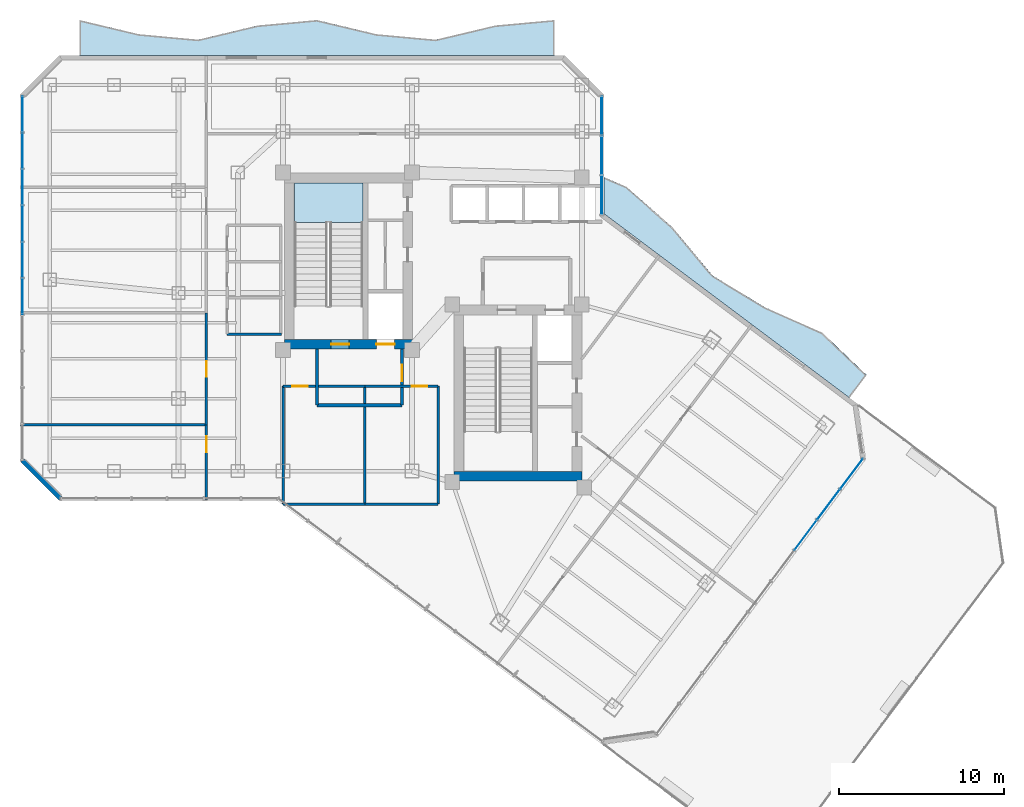
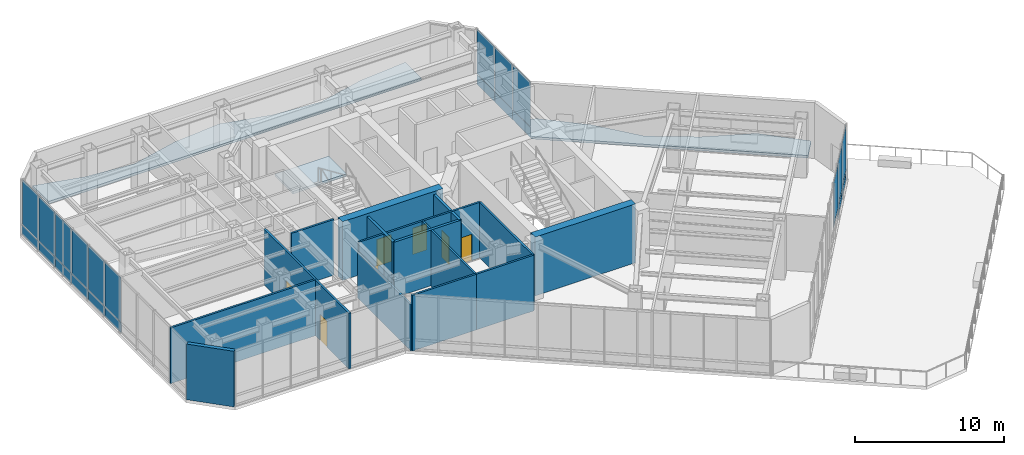
# One storey, part 22 of 30: 23 plates, 17 walls, 7 doors, 3 slabs, 7 openings, 4 elements without a shape of their own.
"""IFC4 building model written with IfcOpenShell, lengths in metres."""

from ifc_helpers import new_model, si_unit, direction, frame, frame_2d, origin, origin_2d, place, context, subcontext, project, spatial, polyline, rectangle, outline, extrude, material, layer, layer_set, type_object, element, fill, aggregate, save


model = new_model("IFC4")

# Units and contexts
model_context = context("Model", 3, precision=1e-05, world=origin(), true_north=direction((0.0, 1.0)))
body_context = subcontext(model_context, "Body", "Model", "MODEL_VIEW")
ifc_project = project(units=[si_unit("LENGTHUNIT", "METRE"), si_unit("AREAUNIT", "SQUARE_METRE"), si_unit("VOLUMEUNIT", "CUBIC_METRE"), si_unit("PLANEANGLEUNIT", "RADIAN"), si_unit("MASSUNIT", "GRAM", prefix="KILO")], contexts=[model_context])

# Site, building, storey
site_placement = place(None, origin())
site = spatial("IfcSite", under=ifc_project, at=site_placement, CompositionType="ELEMENT")
building_placement = place(site_placement, origin())
building = spatial("IfcBuilding", under=site, at=building_placement, Name="Hatsunagi Terrace Concourse", CompositionType="ELEMENT")
storey_placement = place(building_placement, frame((0.0, 0.0, 130.050048828125)))
storey = spatial("IfcBuildingStorey", under=building, at=storey_placement, Name="L34", CompositionType="ELEMENT", Elevation=130.050048828125)

# Curtain wall, plates
ifc_material_1 = material(Name="Anodised Aluminium Alloy 6063-T5", Category="aluminium")
ifc_layer_1 = layer(ifc_material_1, 0.199951171875)
ifc_layer_set_1 = layer_set([ifc_layer_1], Name="SkyLobbyAtrium_CW05")
curtain_wall_type = type_object("IfcCurtainWallType", Name="SkyLobbyAtrium_CW05", PredefinedType="NOTDEFINED", material=ifc_layer_set_1)
curtain_wall_1_placement = place(storey_placement, origin())
curtain_wall_1 = element("IfcCurtainWall", 1, at=curtain_wall_1_placement, inside=storey, type_object=curtain_wall_type, Name="Unitised Curtain Wall CW-05 CW-L34-03", PredefinedType="NOTDEFINED")
ifc_material_2 = material(Name="Warm Terracotta Ceramic Spandrel Panel", Category="masonry")
ifc_layer_2 = layer(ifc_material_2, 0.031982421875)
ifc_layer_set_2 = layer_set([ifc_layer_2], Name="CurtainWallSpandrelPanel_32")
plate_type_1 = type_object("IfcPlateType", Name="CurtainWallSpandrelPanel_32", PredefinedType="SHEET", material=ifc_layer_set_2)
plate_1_placement = place(storey_placement, frame((59.9970703125, 25.030029296875, 0.030029296875), z_axis=(0.0, 0.0, 1.0), x_axis=(-0.599969314634, -0.800023013105, 0.0)))
plate_1 = element("IfcPlate", 2, at=plate_1_placement, type_object=plate_type_1, Name="Terracotta Spandrel Panel SPN-01", PredefinedType="SHEET", context=body_context, shape_type="SweptSolid", body=[
    extrude(rectangle(XDim=2.264892578125, YDim=0.031982421875, at=origin_2d()), origin(), (0.0, 0.0, 1.0), 0.7900390625),
])
plate_2_placement = place(storey_placement, frame((58.60498046875, 23.173095703125, 0.030029296875), z_axis=(0.0, 0.0, 1.0), x_axis=(-0.599969314634, -0.800023013105, 0.0)))
plate_2 = element("IfcPlate", 3, at=plate_2_placement, type_object=plate_type_1, Name="Terracotta Spandrel Panel SPN-01", PredefinedType="SHEET", context=body_context, shape_type="SweptSolid", body=[
    extrude(rectangle(XDim=2.264892578125, YDim=0.031982421875, at=origin_2d()), origin(), (0.0, 0.0, 1.0), 0.7900390625),
])

curtain_wall_2_placement = place(storey_placement, origin())
curtain_wall_2 = element("IfcCurtainWall", 4, at=curtain_wall_2_placement, inside=storey, type_object=curtain_wall_type, Name="Unitised Curtain Wall CW-05 CW-L34-09", PredefinedType="NOTDEFINED")
plate_3_placement = place(storey_placement, frame((9.739990234375, 35.7958984375, 0.030029296875), z_axis=(0.0, 0.0, 1.0), x_axis=(0.0, 1.0, 0.0)))
plate_3 = element("IfcPlate", 5, at=plate_3_placement, type_object=plate_type_1, Name="Terracotta Spandrel Panel SPN-01", PredefinedType="SHEET", context=body_context, shape_type="SweptSolid", body=[
    extrude(rectangle(XDim=2.153076171875, YDim=0.031982421875, at=origin_2d()), origin(), (0.0, 0.0, 1.0), 0.7900390625),
])
plate_4_placement = place(storey_placement, frame((9.739990234375, 38.00390625, 0.030029296875), z_axis=(0.0, 0.0, 1.0), x_axis=(0.0, 1.0, 0.0)))
plate_4 = element("IfcPlate", 6, at=plate_4_placement, type_object=plate_type_1, Name="Terracotta Spandrel Panel SPN-01", PredefinedType="SHEET", context=body_context, shape_type="SweptSolid", body=[
    extrude(rectangle(XDim=2.153076171875, YDim=0.031982421875, at=origin_2d()), origin(), (0.0, 0.0, 1.0), 0.7900390625),
])
plate_5_placement = place(storey_placement, frame((9.739990234375, 40.212890625, 0.030029296875), z_axis=(0.0, 0.0, 1.0), x_axis=(0.0, 1.0, 0.0)))
plate_5 = element("IfcPlate", 7, at=plate_5_placement, type_object=plate_type_1, Name="Terracotta Spandrel Panel SPN-01", PredefinedType="SHEET", context=body_context, shape_type="SweptSolid", body=[
    extrude(rectangle(XDim=2.153076171875, YDim=0.031982421875, at=origin_2d()), origin(), (0.0, 0.0, 1.0), 0.7900390625),
])
plate_6_placement = place(storey_placement, frame((9.739990234375, 42.4208984375, 0.030029296875), z_axis=(0.0, 0.0, 1.0), x_axis=(0.0, 1.0, 0.0)))
plate_6 = element("IfcPlate", 8, at=plate_6_placement, type_object=plate_type_1, Name="Terracotta Spandrel Panel SPN-01", PredefinedType="SHEET", context=body_context, shape_type="SweptSolid", body=[
    extrude(rectangle(XDim=2.153076171875, YDim=0.031982421875, at=origin_2d()), origin(), (0.0, 0.0, 1.0), 0.7900390625),
])
plate_7_placement = place(storey_placement, frame((9.739990234375, 44.62890625, 0.030029296875), z_axis=(0.0, 0.0, 1.0), x_axis=(0.0, 1.0, 0.0)))
plate_7 = element("IfcPlate", 9, at=plate_7_placement, type_object=plate_type_1, Name="Terracotta Spandrel Panel SPN-01", PredefinedType="SHEET", context=body_context, shape_type="SweptSolid", body=[
    extrude(rectangle(XDim=2.153076171875, YDim=0.031982421875, at=origin_2d()), origin(), (0.0, 0.0, 1.0), 0.7900390625),
])
plate_8_placement = place(storey_placement, frame((9.739990234375, 46.837890625, 0.030029296875), z_axis=(0.0, 0.0, 1.0), x_axis=(0.0, 1.0, 0.0)))
plate_8 = element("IfcPlate", 10, at=plate_8_placement, type_object=plate_type_1, Name="Terracotta Spandrel Panel SPN-01", PredefinedType="SHEET", context=body_context, shape_type="SweptSolid", body=[
    extrude(rectangle(XDim=2.153076171875, YDim=0.031982421875, at=origin_2d()), origin(), (0.0, 0.0, 1.0), 0.7900390625),
])

curtain_wall_3_placement = place(storey_placement, origin())
curtain_wall_3 = element("IfcCurtainWall", 11, at=curtain_wall_3_placement, inside=storey, type_object=curtain_wall_type, Name="Unitised Curtain Wall CW-05 CW-L34-13", PredefinedType="NOTDEFINED")
plate_9_placement = place(storey_placement, frame((44.860107421875, 46.739990234375, 0.030029296875), z_axis=(0.0, 0.0, 1.0), x_axis=(0.0, -1.0, 0.0)))
plate_9 = element("IfcPlate", 12, at=plate_9_placement, type_object=plate_type_1, Name="Terracotta Spandrel Panel SPN-01", PredefinedType="SHEET", context=body_context, shape_type="SweptSolid", body=[
    extrude(rectangle(XDim=2.34912109375, YDim=0.031982421875, at=origin_2d()), origin(), (0.0, 0.0, 1.0), 0.7900390625),
])
plate_10_placement = place(storey_placement, frame((44.860107421875, 44.3359375, 0.030029296875), z_axis=(0.0, 0.0, 1.0), x_axis=(0.0, -1.0, 0.0)))
plate_10 = element("IfcPlate", 13, at=plate_10_placement, type_object=plate_type_1, Name="Terracotta Spandrel Panel SPN-01", PredefinedType="SHEET", context=body_context, shape_type="SweptSolid", body=[
    extrude(rectangle(XDim=2.34912109375, YDim=0.031982421875, at=origin_2d()), origin(), (0.0, 0.0, 1.0), 0.7900390625),
])
plate_11_placement = place(storey_placement, frame((44.860107421875, 41.931884765625, 0.030029296875), z_axis=(0.0, 0.0, 1.0), x_axis=(0.0, -1.0, 0.0)))
plate_11 = element("IfcPlate", 14, at=plate_11_placement, type_object=plate_type_1, Name="Terracotta Spandrel Panel SPN-01", PredefinedType="SHEET", context=body_context, shape_type="SweptSolid", body=[
    extrude(rectangle(XDim=2.34912109375, YDim=0.031982421875, at=origin_2d()), origin(), (0.0, 0.0, 1.0), 0.7900390625),
])

# Plate
ifc_material_3 = material(Name="Low-E Double Insulating Glass 28mm", Category="glass")
ifc_layer_3 = layer(ifc_material_3, 0.028076171875)
ifc_layer_set_3 = layer_set([ifc_layer_3], Name="CurtainWallVisionGlass_28")
plate_type_2 = type_object("IfcPlateType", Name="CurtainWallVisionGlass_28", PredefinedType="CURTAIN_PANEL", material=ifc_layer_set_3)
plate_12_placement = place(storey_placement, frame((59.9970703125, 25.030029296875, 0.8798828125), z_axis=(0.0, 0.0, 1.0), x_axis=(-0.599969314634, -0.800023013105, 0.0)))
plate_12 = element("IfcPlate", 15, at=plate_12_placement, type_object=plate_type_2, Name="Low-E Vision Glass Panel GLZ-01", PredefinedType="CURTAIN_PANEL", context=body_context, shape_type="SweptSolid", body=[
    extrude(rectangle(XDim=2.264892578125, YDim=0.028076171875, at=origin_2d()), origin(), (0.0, 0.0, 1.0), 3.639892578125),
])

plate_13_placement = place(storey_placement, frame((58.60498046875, 23.173095703125, 0.8798828125), z_axis=(0.0, 0.0, 1.0), x_axis=(-0.599969314634, -0.800023013105, 0.0)))
plate_13 = element("IfcPlate", 16, at=plate_13_placement, type_object=plate_type_2, Name="Low-E Vision Glass Panel GLZ-01", PredefinedType="CURTAIN_PANEL", context=body_context, shape_type="SweptSolid", body=[
    extrude(rectangle(XDim=2.264892578125, YDim=0.028076171875, at=origin_2d()), origin(), (0.0, 0.0, 1.0), 3.639892578125),
])

plate_14_placement = place(storey_placement, frame((57.2119140625, 21.31689453125, 0.8798828125), z_axis=(0.0, 0.0, 1.0), x_axis=(-0.599969314634, -0.800023013105, 0.0)))
plate_14 = element("IfcPlate", 17, at=plate_14_placement, type_object=plate_type_2, Name="Low-E Vision Glass Panel GLZ-01", PredefinedType="CURTAIN_PANEL", context=body_context, shape_type="SweptSolid", body=[
    extrude(rectangle(XDim=2.264892578125, YDim=0.028076171875, at=origin_2d()), origin(), (0.0, 0.0, 1.0), 3.639892578125),
])

aggregate(curtain_wall_1, [plate_1, plate_12, plate_2, plate_13, plate_14])

plate_15_placement = place(storey_placement, frame((9.739990234375, 35.7958984375, 0.8798828125), z_axis=(0.0, 0.0, 1.0), x_axis=(0.0, 1.0, 0.0)))
plate_15 = element("IfcPlate", 18, at=plate_15_placement, type_object=plate_type_2, Name="Low-E Vision Glass Panel GLZ-01", PredefinedType="CURTAIN_PANEL", context=body_context, shape_type="SweptSolid", body=[
    extrude(rectangle(XDim=2.153076171875, YDim=0.028076171875, at=origin_2d()), origin(), (0.0, 0.0, 1.0), 3.639892578125),
])

plate_16_placement = place(storey_placement, frame((9.739990234375, 38.00390625, 0.8798828125), z_axis=(0.0, 0.0, 1.0), x_axis=(0.0, 1.0, 0.0)))
plate_16 = element("IfcPlate", 19, at=plate_16_placement, type_object=plate_type_2, Name="Low-E Vision Glass Panel GLZ-01", PredefinedType="CURTAIN_PANEL", context=body_context, shape_type="SweptSolid", body=[
    extrude(rectangle(XDim=2.153076171875, YDim=0.028076171875, at=origin_2d()), origin(), (0.0, 0.0, 1.0), 3.639892578125),
])

plate_17_placement = place(storey_placement, frame((9.739990234375, 40.212890625, 0.8798828125), z_axis=(0.0, 0.0, 1.0), x_axis=(0.0, 1.0, 0.0)))
plate_17 = element("IfcPlate", 20, at=plate_17_placement, type_object=plate_type_2, Name="Low-E Vision Glass Panel GLZ-01", PredefinedType="CURTAIN_PANEL", context=body_context, shape_type="SweptSolid", body=[
    extrude(rectangle(XDim=2.153076171875, YDim=0.028076171875, at=origin_2d()), origin(), (0.0, 0.0, 1.0), 3.639892578125),
])

plate_18_placement = place(storey_placement, frame((9.739990234375, 42.4208984375, 0.8798828125), z_axis=(0.0, 0.0, 1.0), x_axis=(0.0, 1.0, 0.0)))
plate_18 = element("IfcPlate", 21, at=plate_18_placement, type_object=plate_type_2, Name="Low-E Vision Glass Panel GLZ-01", PredefinedType="CURTAIN_PANEL", context=body_context, shape_type="SweptSolid", body=[
    extrude(rectangle(XDim=2.153076171875, YDim=0.028076171875, at=origin_2d()), origin(), (0.0, 0.0, 1.0), 3.639892578125),
])

plate_19_placement = place(storey_placement, frame((9.739990234375, 44.62890625, 0.8798828125), z_axis=(0.0, 0.0, 1.0), x_axis=(0.0, 1.0, 0.0)))
plate_19 = element("IfcPlate", 22, at=plate_19_placement, type_object=plate_type_2, Name="Low-E Vision Glass Panel GLZ-01", PredefinedType="CURTAIN_PANEL", context=body_context, shape_type="SweptSolid", body=[
    extrude(rectangle(XDim=2.153076171875, YDim=0.028076171875, at=origin_2d()), origin(), (0.0, 0.0, 1.0), 3.639892578125),
])

plate_20_placement = place(storey_placement, frame((9.739990234375, 46.837890625, 0.8798828125), z_axis=(0.0, 0.0, 1.0), x_axis=(0.0, 1.0, 0.0)))
plate_20 = element("IfcPlate", 23, at=plate_20_placement, type_object=plate_type_2, Name="Low-E Vision Glass Panel GLZ-01", PredefinedType="CURTAIN_PANEL", context=body_context, shape_type="SweptSolid", body=[
    extrude(rectangle(XDim=2.153076171875, YDim=0.028076171875, at=origin_2d()), origin(), (0.0, 0.0, 1.0), 3.639892578125),
])

aggregate(curtain_wall_2, [plate_3, plate_15, plate_4, plate_16, plate_5, plate_17, plate_6, plate_18, plate_7, plate_19, plate_8, plate_20])

plate_21_placement = place(storey_placement, frame((44.860107421875, 46.739990234375, 0.8798828125), z_axis=(0.0, 0.0, 1.0), x_axis=(0.0, -1.0, 0.0)))
plate_21 = element("IfcPlate", 24, at=plate_21_placement, type_object=plate_type_2, Name="Low-E Vision Glass Panel GLZ-01", PredefinedType="CURTAIN_PANEL", context=body_context, shape_type="SweptSolid", body=[
    extrude(rectangle(XDim=2.34912109375, YDim=0.028076171875, at=origin_2d()), origin(), (0.0, 0.0, 1.0), 3.639892578125),
])

plate_22_placement = place(storey_placement, frame((44.860107421875, 44.3359375, 0.8798828125), z_axis=(0.0, 0.0, 1.0), x_axis=(0.0, -1.0, 0.0)))
plate_22 = element("IfcPlate", 25, at=plate_22_placement, type_object=plate_type_2, Name="Low-E Vision Glass Panel GLZ-01", PredefinedType="CURTAIN_PANEL", context=body_context, shape_type="SweptSolid", body=[
    extrude(rectangle(XDim=2.34912109375, YDim=0.028076171875, at=origin_2d()), origin(), (0.0, 0.0, 1.0), 3.639892578125),
])

plate_23_placement = place(storey_placement, frame((44.860107421875, 41.931884765625, 0.8798828125), z_axis=(0.0, 0.0, 1.0), x_axis=(0.0, -1.0, 0.0)))
plate_23 = element("IfcPlate", 26, at=plate_23_placement, type_object=plate_type_2, Name="Low-E Vision Glass Panel GLZ-01", PredefinedType="CURTAIN_PANEL", context=body_context, shape_type="SweptSolid", body=[
    extrude(rectangle(XDim=2.34912109375, YDim=0.028076171875, at=origin_2d()), origin(), (0.0, 0.0, 1.0), 3.639892578125),
])

aggregate(curtain_wall_3, [plate_9, plate_21, plate_10, plate_22, plate_11, plate_23])

# Stair, slab
ifc_material_4 = material(Name="Concrete Fc42", Category="concrete")
stair_type = type_object("IfcStairType", Name="DoglegExitStair_Tower2000_28R_171", PredefinedType="HALF_TURN_STAIR", material=ifc_material_4)
stair_placement = place(storey_placement, origin())
stair = element("IfcStair", 27, at=stair_placement, inside=storey, type_object=stair_type, Name="L34 Core A Protected Exit Stair ST-A", PredefinedType="HALF_TURN_STAIR")
ifc_material_5 = material(Name="Concrete Fc42", Category="concrete")
ifc_layer_4 = layer(ifc_material_5, 0.199951171875)
ifc_layer_set_4 = layer_set([ifc_layer_4], Name="DoglegStairLanding_Tower2000")
slab_type_1 = type_object("IfcSlabType", Name="DoglegStairLanding_Tower2000", PredefinedType="LANDING", material=ifc_layer_set_4)
slab_1_placement = place(storey_placement, frame((0.0, 0.0, 2.199951171875)))
slab_1 = element("IfcSlab", 28, at=slab_1_placement, type_object=slab_type_1, Name="ST-A landing 1", PredefinedType="LANDING", context=body_context, shape_type="SweptSolid", body=[
    extrude(outline(polyline([(30.3798828125, 40.27001953125), (30.3798828125, 42.659912109375), (26.22998046875, 42.659912109375), (26.22998046875, 40.27001953125), (30.3798828125, 40.27001953125)])), origin(), (0.0, 0.0, 1.0), 0.199951171875),
])
aggregate(stair, [slab_1])

# Slabs
ifc_material_6 = material(Name="Concrete Fc42", Category="concrete")
ifc_layer_5 = layer(ifc_material_6, 0.199951171875)
ifc_layer_set_5 = layer_set([ifc_layer_5], Name="EngawaBalconySlab_Fc42_200")
slab_type_2 = type_object("IfcSlabType", Name="EngawaBalconySlab_Fc42_200", PredefinedType="FLOOR", material=ifc_layer_set_5)
slab_2_placement = place(storey_placement, frame((0.0, 0.0, -0.199951171875)))
element("IfcSlab", 29, at=slab_2_placement, inside=storey, type_object=slab_type_2, Name="Engawa Balcony Slab BAL-L34-BN", PredefinedType="FLOOR", context=body_context, shape_type="SweptSolid", body=[
    extrude(outline(polyline([(13.199951171875, 52.5439453125), (13.199951171875, 50.39990234375), (42.0, 50.39990234375), (42.0, 52.5439453125), (38.39990234375, 52.214111328125), (34.800048828125, 51.35595703125), (31.199951171875, 51.68603515625), (27.60009765625, 52.5439453125), (24.0, 52.214111328125), (20.39990234375, 51.35595703125), (16.800048828125, 51.68603515625), (13.199951171875, 52.5439453125)])), origin(), (0.0, 0.0, 1.0), 0.199951171875),
])
slab_3_placement = place(storey_placement, frame((0.0, 0.0, -0.199951171875)))
element("IfcSlab", 30, at=slab_3_placement, inside=storey, type_object=slab_type_2, Name="Engawa Balcony Slab BAL-L34-BSE", PredefinedType="FLOOR", context=body_context, shape_type="SweptSolid", body=[
    extrude(outline(polyline([(46.35302734375, 42.43701171875), (44.99609375, 43.01611328125), (44.99609375, 40.802978515625), (59.8798828125, 29.639892578125), (60.9169921875, 31.02294921875), (58.219970703125, 33.593017578125), (54.75, 35.134033203125), (51.572021484375, 37.06298828125), (49.14111328125, 39.988037109375), (46.35302734375, 42.43701171875)])), origin(), (0.0, 0.0, 1.0), 0.199951171875),
])

# Wall, openings, doors
ifc_material_7 = material(Name="Concrete Fc48", Category="concrete")
ifc_layer_6 = layer(ifc_material_7, 0.60009765625)
ifc_layer_set_6 = layer_set([ifc_layer_6], Name="CoreShearWall_Fc48_600")
wall_type_1 = type_object("IfcWallType", Name="CoreShearWall_Fc48_600", PredefinedType="SHEAR", material=ifc_layer_set_6)
wall_1_placement = place(storey_placement, frame((25.6201171875, 32.889892578125, 0.0), z_axis=(0.0, 0.0, 1.0), x_axis=(1.0, 0.0, 0.0)))
wall_1 = element("IfcWall", 31, at=wall_1_placement, inside=storey, type_object=wall_type_1, Name="Core A Shear Wall S L34", PredefinedType="SHEAR", context=body_context, shape_type="SweptSolid", body=[
    extrude(rectangle(XDim=7.77978515625, YDim=0.60009765625, at=frame_2d((3.889892578125, 0.0))), origin(), (0.0, 0.0, 1.0), 4.800048828125),
])
opening_1_placement = place(wall_1_placement, frame((2.830078125, 0.0, 0.0)))
opening_1 = element("IfcOpeningElement", 32, at=opening_1_placement, cuts=wall_1, Name="Opening DR-110S", PredefinedType="OPENING", context=body_context, shape_type="SweptSolid", body=[
    extrude(rectangle(XDim=1.10009765625, YDim=2.199951171875, at=frame_2d((0.550048828125, 1.10009765625))), frame((0.0, 0.31005859375, 0.0), z_axis=(0.0, -1.0, 0.0), x_axis=(1.0, 0.0, 0.0)), (0.0, 0.0, 1.0), 0.6201171875),
])
opening_2_placement = place(wall_1_placement, frame((5.580078125, 0.0, 0.0)))
opening_2 = element("IfcOpeningElement", 33, at=opening_2_placement, cuts=wall_1, Name="Opening LD-01", PredefinedType="OPENING", context=body_context, shape_type="SweptSolid", body=[
    extrude(rectangle(XDim=1.10009765625, YDim=2.14990234375, at=frame_2d((0.550048828125, 1.074951171875))), frame((0.0, 0.31005859375, 0.0), z_axis=(0.0, -1.0, 0.0), x_axis=(1.0, 0.0, 0.0)), (0.0, 0.0, 1.0), 0.6201171875),
])
ifc_material_8 = material(Name="Stainless steel", Category="steel")
door_type_1 = type_object("IfcDoorType", Name="LiftLandingDoor_LD01", OperationType="SLIDING_TO_LEFT", PredefinedType="USERDEFINED", material=ifc_material_8)
door_1_placement = place(opening_2_placement, origin())
door_1 = element("IfcDoor", 34, at=door_1_placement, inside=storey, type_object=door_type_1, Name="Lift landing door FF-01 L34", ObjectType="SLIDING_LANDING_DOOR", OperationType="SLIDING_TO_LEFT", OverallHeight=2.14990234375, OverallWidth=1.10009765625, PredefinedType="USERDEFINED", context=body_context, shape_type="SweptSolid", body=[
    extrude(rectangle(XDim=1.10009765625, YDim=2.14990234375, at=frame_2d((0.550048828125, 1.074951171875))), frame((0.0, 0.02490234375, 0.0), z_axis=(0.0, -1.0, 0.0), x_axis=(1.0, 0.0, 0.0)), (0.0, 0.0, 1.0), 0.050048828125),
])
fill(opening_2, door_1)
ifc_material_9 = material(Name="Painted steel", Category="steel")
door_type_2 = type_object("IfcDoorType", Name="StairFireDoor_EI60_1100", OperationType="NOTDEFINED", PredefinedType="DOOR", material=ifc_material_9)
door_2_placement = place(opening_1_placement, origin())
door_2 = element("IfcDoor", 35, at=door_2_placement, inside=storey, type_object=door_type_2, Name="Stair ST-A Exit Door L34", OperationType="SINGLE_SWING_LEFT", OverallHeight=2.199951171875, OverallWidth=1.10009765625, PredefinedType="DOOR", context=body_context, shape_type="SweptSolid", body=[
    extrude(rectangle(XDim=1.10009765625, YDim=2.199951171875, at=frame_2d((0.550048828125, 1.10009765625))), frame((0.0, 0.02490234375, 0.0), z_axis=(0.0, -1.0, 0.0), x_axis=(1.0, 0.0, 0.0)), (0.0, 0.0, 1.0), 0.050048828125),
])
fill(opening_1, door_2)

# Walls
wall_2_placement = place(storey_placement, frame((35.889892578125, 24.889892578125, 0.0), z_axis=(0.0, 0.0, 1.0), x_axis=(1.0, 0.0, 0.0)))
element("IfcWall", 36, at=wall_2_placement, inside=storey, type_object=wall_type_1, Name="Core B Shear Wall S L34", PredefinedType="SHEAR", context=body_context, shape_type="SweptSolid", body=[
    extrude(rectangle(XDim=7.760009765625, YDim=0.60009765625, at=frame_2d((3.8798828125, 0.0))), origin(), (0.0, 0.0, 1.0), 4.800048828125),
])
ifc_material_10 = material(Name="Acoustic mineral board", Category="gypsum")
ifc_layer_7 = layer(ifc_material_10, 0.14990234375)
ifc_layer_set_7 = layer_set([ifc_layer_7], Name="PartitionWall_EI60_150")
wall_type_2 = type_object("IfcWallType", Name="PartitionWall_EI60_150", PredefinedType="PARTITIONING", material=ifc_layer_set_7)
wall_3_placement = place(storey_placement, frame((22.14990234375, 33.5, 0.0), z_axis=(0.0, 0.0, 1.0), x_axis=(1.0, 0.0, 0.0)))
element("IfcWall", 37, at=wall_3_placement, inside=storey, type_object=wall_type_2, Name="Interior Partition IW-L34-018", PredefinedType="PARTITIONING", context=body_context, shape_type="SweptSolid", body=[
    extrude(rectangle(XDim=3.300048828125, YDim=0.14990234375, at=frame_2d((1.64990234375, 0.0))), origin(), (0.0, 0.0, 1.0), 4.550048828125),
])
wall_4_placement = place(storey_placement, frame((25.550048828125, 23.199951171875, 0.0), z_axis=(0.0, 0.0, 1.0), x_axis=(1.0, 0.0, 0.0)))
element("IfcWall", 38, at=wall_4_placement, inside=storey, type_object=wall_type_2, Name="Interior Partition IW-L34-026", PredefinedType="PARTITIONING", context=body_context, shape_type="SweptSolid", body=[
    extrude(rectangle(XDim=4.949951171875, YDim=0.14990234375, at=frame_2d((2.47509765625, 0.0))), origin(), (0.0, 0.0, 1.0), 4.550048828125),
])

# Wall, opening, door
wall_5_placement = place(storey_placement, frame((25.550048828125, 30.35009765625, 0.0), z_axis=(0.0, 0.0, 1.0), x_axis=(1.0, 0.0, 0.0)))
wall_5 = element("IfcWall", 39, at=wall_5_placement, inside=storey, type_object=wall_type_2, Name="Interior Partition IW-L34-027", PredefinedType="PARTITIONING", context=body_context, shape_type="SweptSolid", body=[
    extrude(rectangle(XDim=4.949951171875, YDim=0.14990234375, at=frame_2d((2.47509765625, 0.0))), origin(), (0.0, 0.0, 1.0), 4.550048828125),
])
opening_3_placement = place(wall_5_placement, frame((0.5419921875, 0.0, 0.0)))
opening_3 = element("IfcOpeningElement", 40, at=opening_3_placement, cuts=wall_5, Name="Opening DR-095", PredefinedType="OPENING", context=body_context, shape_type="SweptSolid", body=[
    extrude(rectangle(XDim=0.949951171875, YDim=2.14990234375, at=frame_2d((0.47509765625, 1.074951171875))), frame((0.0, 0.0849609375, 0.0), z_axis=(0.0, -1.0, 0.0), x_axis=(1.0, 0.0, 0.0)), (0.0, 0.0, 1.0), 0.169921875),
])
ifc_material_11 = material(Name="Hardwood timber", Category="wood")
door_type_3 = type_object("IfcDoorType", Name="InteriorSuiteDoor_EI30_950", OperationType="NOTDEFINED", PredefinedType="DOOR", material=ifc_material_11)
door_3_placement = place(opening_3_placement, origin())
door_3 = element("IfcDoor", 41, at=door_3_placement, inside=storey, type_object=door_type_3, Name="Executive Office L34-RECL1 Door", OperationType="SINGLE_SWING_RIGHT", OverallHeight=2.14990234375, OverallWidth=0.949951171875, PredefinedType="DOOR", context=body_context, shape_type="SweptSolid", body=[
    extrude(rectangle(XDim=0.949951171875, YDim=2.14990234375, at=frame_2d((0.47509765625, 1.074951171875))), frame((0.0, 0.02490234375, 0.0), z_axis=(0.0, -1.0, 0.0), x_axis=(1.0, 0.0, 0.0)), (0.0, 0.0, 1.0), 0.050048828125),
])
fill(opening_3, door_3)

# Walls
wall_6_placement = place(storey_placement, frame((25.550048828125, 23.199951171875, 0.0), z_axis=(0.0, 0.0, 1.0), x_axis=(0.0, 1.0, 0.0)))
element("IfcWall", 42, at=wall_6_placement, inside=storey, type_object=wall_type_2, Name="Interior Partition IW-L34-028", PredefinedType="PARTITIONING", context=body_context, shape_type="SweptSolid", body=[
    extrude(rectangle(XDim=7.150146484375, YDim=0.14990234375, at=frame_2d((3.5751953125, 0.0))), origin(), (0.0, 0.0, 1.0), 3.744873046875),
])
wall_7_placement = place(storey_placement, frame((30.5, 23.199951171875, 0.0), z_axis=(0.0, 0.0, 1.0), x_axis=(0.0, 1.0, 0.0)))
element("IfcWall", 43, at=wall_7_placement, inside=storey, type_object=wall_type_2, Name="Interior Partition IW-L34-029", PredefinedType="PARTITIONING", context=body_context, shape_type="SweptSolid", body=[
    extrude(rectangle(XDim=7.150146484375, YDim=0.14990234375, at=frame_2d((3.5751953125, 0.0))), origin(), (0.0, 0.0, 1.0), 4.550048828125),
])
wall_8_placement = place(storey_placement, frame((30.5, 23.199951171875, 0.0), z_axis=(0.0, 0.0, 1.0), x_axis=(1.0, 0.0, 0.0)))
element("IfcWall", 44, at=wall_8_placement, inside=storey, type_object=wall_type_2, Name="Interior Partition IW-L34-030", PredefinedType="PARTITIONING", context=body_context, shape_type="SweptSolid", body=[
    extrude(rectangle(XDim=4.449951171875, YDim=0.14990234375, at=frame_2d((2.22509765625, 0.0))), origin(), (0.0, 0.0, 1.0), 4.550048828125),
])

# Wall, opening, door
wall_9_placement = place(storey_placement, frame((30.5, 30.35009765625, 0.0), z_axis=(0.0, 0.0, 1.0), x_axis=(1.0, 0.0, 0.0)))
wall_9 = element("IfcWall", 45, at=wall_9_placement, inside=storey, type_object=wall_type_2, Name="Interior Partition IW-L34-031", PredefinedType="PARTITIONING", context=body_context, shape_type="SweptSolid", body=[
    extrude(rectangle(XDim=4.449951171875, YDim=0.14990234375, at=frame_2d((2.22509765625, 0.0))), origin(), (0.0, 0.0, 1.0), 4.550048828125),
])
opening_4_placement = place(wall_9_placement, frame((2.845947265625, 0.0, 0.0)))
opening_4 = element("IfcOpeningElement", 46, at=opening_4_placement, cuts=wall_9, Name="Opening DR-095", PredefinedType="OPENING", context=body_context, shape_type="SweptSolid", body=[
    extrude(rectangle(XDim=0.949951171875, YDim=2.14990234375, at=frame_2d((0.47509765625, 1.074951171875))), frame((0.0, 0.0849609375, 0.0), z_axis=(0.0, -1.0, 0.0), x_axis=(1.0, 0.0, 0.0)), (0.0, 0.0, 1.0), 0.169921875),
])
door_4_placement = place(opening_4_placement, origin())
door_4 = element("IfcDoor", 47, at=door_4_placement, inside=storey, type_object=door_type_3, Name="Client Consultation Room L34-RECL2 Door", OperationType="SINGLE_SWING_RIGHT", OverallHeight=2.14990234375, OverallWidth=0.949951171875, PredefinedType="DOOR", context=body_context, shape_type="SweptSolid", body=[
    extrude(rectangle(XDim=0.949951171875, YDim=2.14990234375, at=frame_2d((0.47509765625, 1.074951171875))), frame((0.0, 0.02490234375, 0.0), z_axis=(0.0, -1.0, 0.0), x_axis=(1.0, 0.0, 0.0)), (0.0, 0.0, 1.0), 0.050048828125),
])
fill(opening_4, door_4)

# Walls
wall_10_placement = place(storey_placement, frame((34.949951171875, 23.199951171875, 0.0), z_axis=(0.0, 0.0, 1.0), x_axis=(0.0, 1.0, 0.0)))
element("IfcWall", 48, at=wall_10_placement, inside=storey, type_object=wall_type_2, Name="Interior Partition IW-L34-032", PredefinedType="PARTITIONING", context=body_context, shape_type="SweptSolid", body=[
    extrude(rectangle(XDim=7.150146484375, YDim=0.14990234375, at=frame_2d((3.5751953125, 0.0))), origin(), (0.0, 0.0, 1.0), 4.550048828125),
])
wall_11_placement = place(storey_placement, frame((9.639892578125, 28.0, 0.0), z_axis=(0.0, 0.0, 1.0), x_axis=(1.0, 0.0, 0.0)))
element("IfcWall", 49, at=wall_11_placement, inside=storey, type_object=wall_type_2, Name="Interior Partition IW-L34-033", PredefinedType="PARTITIONING", context=body_context, shape_type="SweptSolid", body=[
    extrude(rectangle(XDim=11.260009765625, YDim=0.14990234375, at=frame_2d((5.6298828125, 0.0))), origin(), (0.0, 0.0, 1.0), 4.550048828125),
])

# Wall, opening, door
wall_12_placement = place(storey_placement, frame((20.89990234375, 23.43994140625, 0.0), z_axis=(0.0, 0.0, 1.0), x_axis=(0.0, 1.0, 0.0)))
wall_12 = element("IfcWall", 50, at=wall_12_placement, inside=storey, type_object=wall_type_2, Name="Interior Partition IW-L34-034", PredefinedType="PARTITIONING", context=body_context, shape_type="SweptSolid", body=[
    extrude(rectangle(XDim=4.56005859375, YDim=0.14990234375, at=frame_2d((2.280029296875, 0.0))), origin(), (0.0, 0.0, 1.0), 4.550048828125),
])
opening_5_placement = place(wall_12_placement, frame((2.916015625, 0.0, 0.0)))
opening_5 = element("IfcOpeningElement", 51, at=opening_5_placement, cuts=wall_12, Name="Opening DR-095", PredefinedType="OPENING", context=body_context, shape_type="SweptSolid", body=[
    extrude(rectangle(XDim=0.949951171875, YDim=2.14990234375, at=frame_2d((0.47509765625, 1.074951171875))), frame((0.0, 0.0849609375, 0.0), z_axis=(0.0, -1.0, 0.0), x_axis=(1.0, 0.0, 0.0)), (0.0, 0.0, 1.0), 0.169921875),
])
door_5_placement = place(opening_5_placement, origin())
door_5 = element("IfcDoor", 52, at=door_5_placement, inside=storey, type_object=door_type_3, Name="Executive Office L34-OW1 Door", OperationType="SINGLE_SWING_RIGHT", OverallHeight=2.14990234375, OverallWidth=0.949951171875, PredefinedType="DOOR", context=body_context, shape_type="SweptSolid", body=[
    extrude(rectangle(XDim=0.949951171875, YDim=2.14990234375, at=frame_2d((0.47509765625, 1.074951171875))), frame((0.0, 0.02490234375, 0.0), z_axis=(0.0, -1.0, 0.0), x_axis=(1.0, 0.0, 0.0)), (0.0, 0.0, 1.0), 0.050048828125),
])
fill(opening_5, door_5)

wall_13_placement = place(storey_placement, frame((20.89990234375, 28.0, 0.0), z_axis=(0.0, 0.0, 1.0), x_axis=(0.0, 1.0, 0.0)))
wall_13 = element("IfcWall", 53, at=wall_13_placement, inside=storey, type_object=wall_type_2, Name="Interior Partition IW-L34-036", PredefinedType="PARTITIONING", context=body_context, shape_type="SweptSolid", body=[
    extrude(rectangle(XDim=6.800048828125, YDim=0.14990234375, at=frame_2d((3.39990234375, 0.0))), origin(), (0.0, 0.0, 1.0), 4.550048828125),
])
opening_6_placement = place(wall_13_placement, frame((2.925048828125, 0.0, 0.0)))
opening_6 = element("IfcOpeningElement", 54, at=opening_6_placement, cuts=wall_13, Name="Opening DR-095", PredefinedType="OPENING", context=body_context, shape_type="SweptSolid", body=[
    extrude(rectangle(XDim=0.949951171875, YDim=2.14990234375, at=frame_2d((0.47509765625, 1.074951171875))), frame((0.0, 0.0849609375, 0.0), z_axis=(0.0, -1.0, 0.0), x_axis=(1.0, 0.0, 0.0)), (0.0, 0.0, 1.0), 0.169921875),
])
door_6_placement = place(opening_6_placement, origin())
door_6 = element("IfcDoor", 55, at=door_6_placement, inside=storey, type_object=door_type_3, Name="Meeting Room L34-OW2 Door", OperationType="SINGLE_SWING_RIGHT", OverallHeight=2.14990234375, OverallWidth=0.949951171875, PredefinedType="DOOR", context=body_context, shape_type="SweptSolid", body=[
    extrude(rectangle(XDim=0.949951171875, YDim=2.14990234375, at=frame_2d((0.47509765625, 1.074951171875))), frame((0.0, 0.02490234375, 0.0), z_axis=(0.0, -1.0, 0.0), x_axis=(1.0, 0.0, 0.0)), (0.0, 0.0, 1.0), 0.050048828125),
])
fill(opening_6, door_6)

# Walls
ifc_material_12 = material(Name="Acoustic mineral board", Category="gypsum")
ifc_layer_8 = layer(ifc_material_12, 0.199951171875)
ifc_layer_set_8 = layer_set([ifc_layer_8], Name="ShaftWall_EI120_200")
wall_type_3 = type_object("IfcWallType", Name="ShaftWall_EI120_200", PredefinedType="STANDARD", material=ifc_layer_set_8)
wall_14_placement = place(storey_placement, frame((27.60009765625, 29.199951171875, 0.0), z_axis=(0.0, 0.0, 1.0), x_axis=(1.0, 0.0, 0.0)))
element("IfcWall", 56, at=wall_14_placement, inside=storey, type_object=wall_type_3, Name="Interior Partition IW-L34-006", PredefinedType="STANDARD", context=body_context, shape_type="SweptSolid", body=[
    extrude(rectangle(XDim=5.14990234375, YDim=0.199951171875, at=frame_2d((2.574951171875, 0.0))), origin(), (0.0, 0.0, 1.0), 4.550048828125),
])
wall_15_placement = place(storey_placement, frame((27.60009765625, 29.199951171875, 0.0), z_axis=(0.0, 0.0, 1.0), x_axis=(0.0, 1.0, 0.0)))
element("IfcWall", 57, at=wall_15_placement, inside=storey, type_object=wall_type_3, Name="Interior Partition IW-L34-007", PredefinedType="STANDARD", context=body_context, shape_type="SweptSolid", body=[
    extrude(rectangle(XDim=3.39013671875, YDim=0.199951171875, at=frame_2d((1.695068359375, 0.0))), origin(), (0.0, 0.0, 1.0), 4.550048828125),
])

# Wall, opening, door
wall_16_placement = place(storey_placement, frame((32.75, 29.199951171875, 0.0), z_axis=(0.0, 0.0, 1.0), x_axis=(0.0, 1.0, 0.0)))
wall_16 = element("IfcWall", 58, at=wall_16_placement, inside=storey, type_object=wall_type_3, Name="Interior Partition IW-L34-008", PredefinedType="STANDARD", context=body_context, shape_type="SweptSolid", body=[
    extrude(rectangle(XDim=3.39013671875, YDim=0.199951171875, at=frame_2d((1.695068359375, 0.0))), origin(), (0.0, 0.0, 1.0), 4.550048828125),
])
opening_7_placement = place(wall_16_placement, frame((1.449951171875, 0.0, 0.0)))
opening_7 = element("IfcOpeningElement", 59, at=opening_7_placement, cuts=wall_16, Name="Opening DR-100F", PredefinedType="OPENING", context=body_context, shape_type="SweptSolid", body=[
    extrude(rectangle(XDim=1.0, YDim=2.199951171875, at=frame_2d((0.5, 1.10009765625))), frame((0.0, 0.10986328125, 0.0), z_axis=(0.0, -1.0, 0.0), x_axis=(1.0, 0.0, 0.0)), (0.0, 0.0, 1.0), 0.219970703125),
])
ifc_material_13 = material(Name="Painted steel", Category="steel")
door_type_4 = type_object("IfcDoorType", Name="FireDoor_EI60_1000", OperationType="NOTDEFINED", PredefinedType="DOOR", material=ifc_material_13)
door_7_placement = place(opening_7_placement, origin())
door_7 = element("IfcDoor", 60, at=door_7_placement, inside=storey, type_object=door_type_4, Name="Firefighting Lobby A Door L34", OperationType="SINGLE_SWING_RIGHT", OverallHeight=2.199951171875, OverallWidth=1.0, PredefinedType="DOOR", context=body_context, shape_type="SweptSolid", body=[
    extrude(rectangle(XDim=1.0, YDim=2.199951171875, at=frame_2d((0.5, 1.10009765625))), frame((0.0, 0.02490234375, 0.0), z_axis=(0.0, -1.0, 0.0), x_axis=(1.0, 0.0, 0.0)), (0.0, 0.0, 1.0), 0.050048828125),
])
fill(opening_7, door_7)

# Wall
ifc_material_14 = material(Name="Autoclaved Lightweight Concrete and Terracotta Cladding", Category="masonry")
ifc_layer_9 = layer(ifc_material_14, 0.280029296875)
ifc_layer_set_9 = layer_set([ifc_layer_9], Name="TerracottaSpandrelWall_280")
wall_type_4 = type_object("IfcWallType", Name="TerracottaSpandrelWall_280", PredefinedType="STANDARD", material=ifc_layer_set_9)
wall_17_placement = place(storey_placement, frame((12.05810546875, 23.5400390625, 0.0), z_axis=(0.0, 0.0, 1.0), x_axis=(-0.707144017911, 0.707069542501, 0.0)))
element("IfcWall", 61, at=wall_17_placement, inside=storey, type_object=wall_type_4, Name="Exterior Spandrel Wall EW-L34-08", PredefinedType="STANDARD", context=body_context, shape_type="SweptSolid", body=[
    extrude(rectangle(XDim=3.278076171875, YDim=0.280029296875, at=frame_2d((1.63916015625, 0.0))), origin(), (0.0, 0.0, 1.0), 4.550048828125),
])

save(model, "model.ifc")
